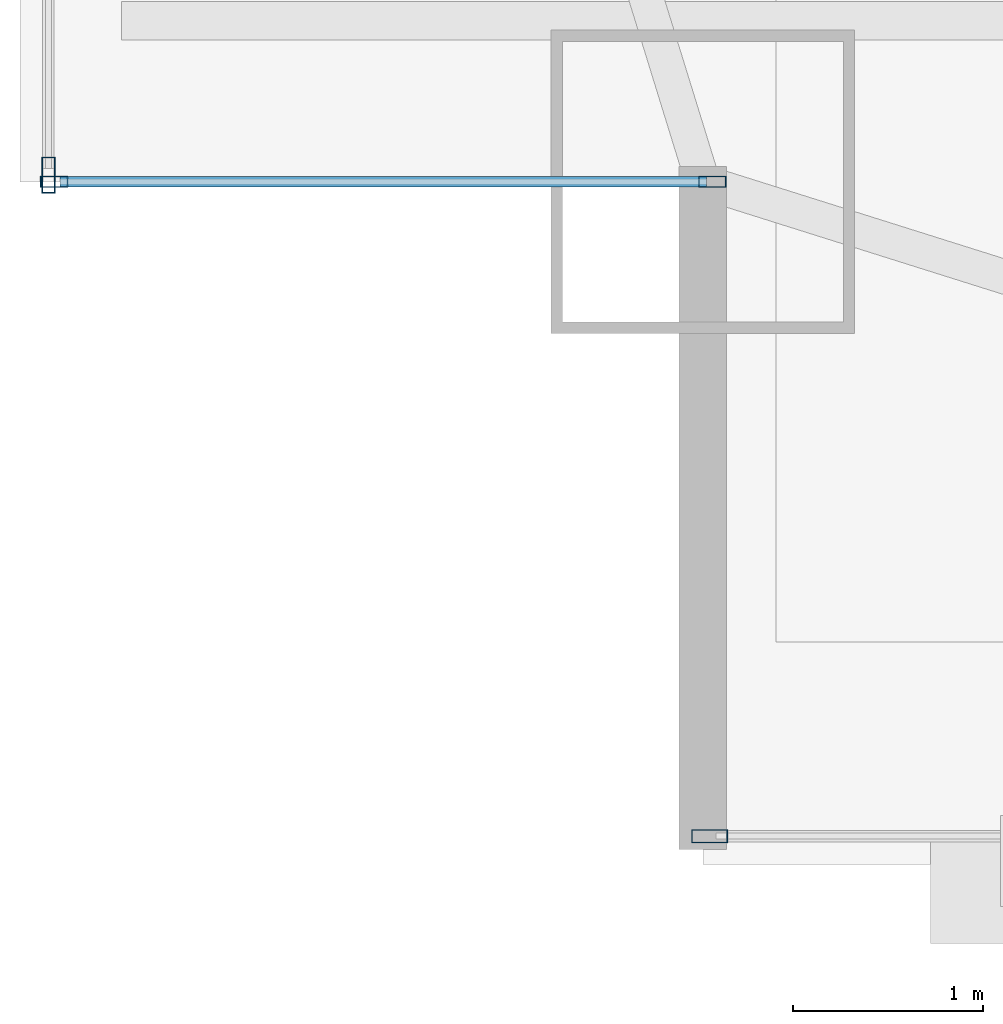
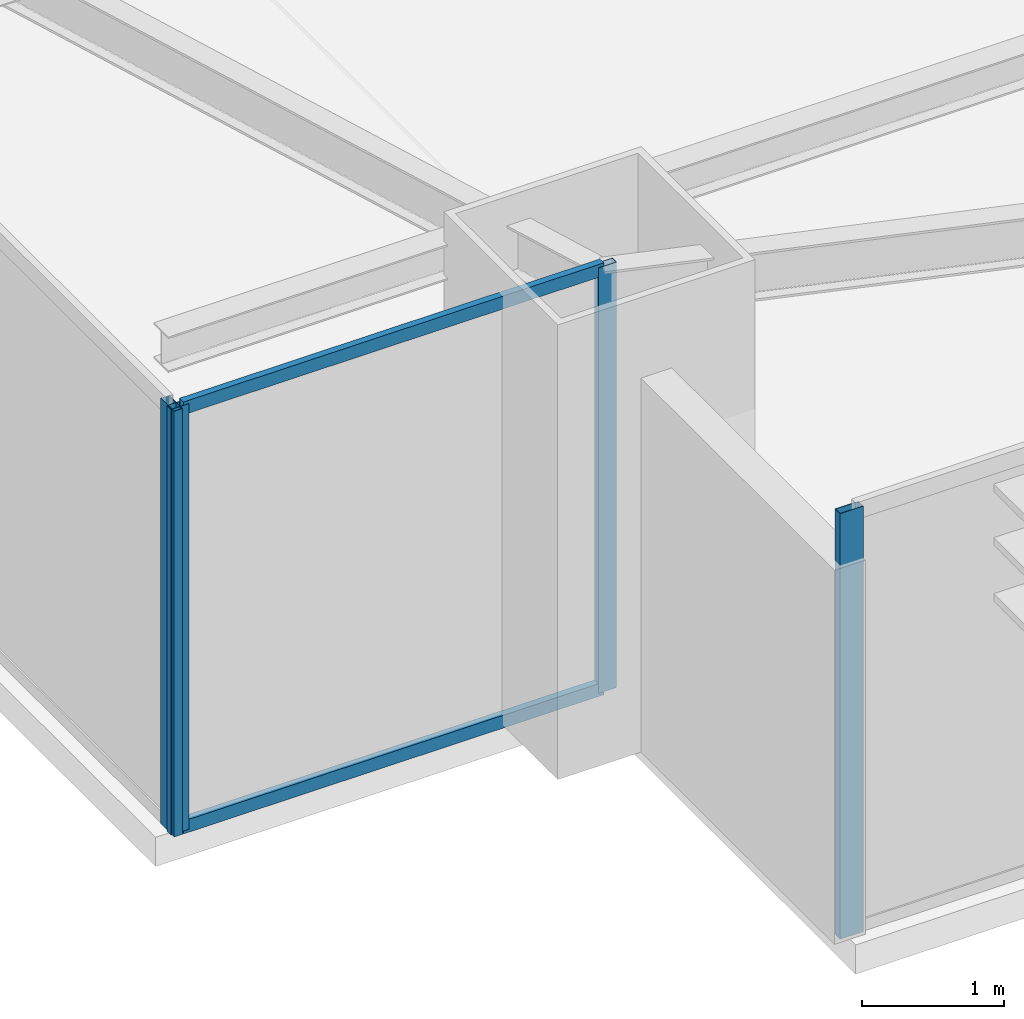
# One storey, part 3 of 31: 6 members, 3 elements without a shape of their own.
"""IFC4 building model written with IfcOpenShell, lengths in metres."""

from ifc_helpers import new_model, si_unit, direction, frame, origin, origin_2d, place, context, subcontext, project, spatial, hollow_rectangle, extrude, source, transform, mapped, material, layer, layer_set, material_profile, profile_set, type_object, type_shapes, element, aggregate, save


model = new_model("IFC4")

# Units and contexts
model_context = context("Model", 3, precision=1e-05, world=origin(), true_north=direction((0.0, 1.0)))
body_context = subcontext(model_context, "Body", "Model", "MODEL_VIEW")
ifc_project = project(units=[si_unit("LENGTHUNIT", "METRE"), si_unit("AREAUNIT", "SQUARE_METRE"), si_unit("VOLUMEUNIT", "CUBIC_METRE"), si_unit("PLANEANGLEUNIT", "RADIAN"), si_unit("MASSUNIT", "GRAM", prefix="KILO")], contexts=[model_context])

# Site, building, storey
site_placement = place(None, origin())
site = spatial("IfcSite", under=ifc_project, at=site_placement, CompositionType="ELEMENT")
building_placement = place(site_placement, origin())
building = spatial("IfcBuilding", under=site, at=building_placement, Name="Varnel Quay Broadcast Tower", CompositionType="ELEMENT")
storey_placement = place(building_placement, frame((0.0, 0.0, 35.39990234375)))
storey = spatial("IfcBuildingStorey", under=building, at=storey_placement, Name="L07", CompositionType="ELEMENT", Elevation=35.39990234375)

# Curtain wall, members
ifc_material = material(Name="Anodised Bronze Aluminium 6063-T6", Category="aluminium")
ifc_layer_1 = layer(ifc_material, 0.18994140625, Name="Anodised Bronze Aluminium 6063-T6")
ifc_layer_set_1 = layer_set([ifc_layer_1], Name="Anodised Bronze Aluminium 6063-T6")
curtain_wall_type_1 = type_object("IfcCurtainWallType", Name="CW_NotchCorner", PredefinedType="NOTDEFINED", material=ifc_layer_set_1)
curtain_wall_1_placement = place(storey_placement, origin())
curtain_wall_1 = element("IfcCurtainWall", 1, at=curtain_wall_1_placement, inside=storey, type_object=curtain_wall_type_1, Name="L07 SW Notch Curtain Wall", PredefinedType="NOTDEFINED")
ifc_material_profile_1 = material_profile(ifc_material, hollow_rectangle(XDim=0.054931640625, YDim=0.110107421875, WallThickness=0.0029296875, at=origin_2d()), Name="ALU55X110X3")
ifc_profile_set_1 = profile_set([ifc_material_profile_1], Name="Anodised Bronze Aluminium 6063-T6")
member_type_1 = type_object("IfcMemberType", Name="Tran_CWS-04", PredefinedType="USERDEFINED", material=ifc_profile_set_1)
shared_shape_1 = source(origin(), body_context, "Body", "SweptSolid", [
    extrude(hollow_rectangle(XDim=0.054931640625, YDim=0.110107421875, WallThickness=0.0029296875, at=origin_2d()), origin(), (0.0, 0.0, 1.0), 3.41015625),
])
type_shapes(member_type_1, [shared_shape_1])
member_1_placement = place(storey_placement, frame((2.2099609375, 4.800048828125, 0.027587890625), z_axis=(1.0, 0.0, 0.0), x_axis=(0.0, 1.0, 0.0)))
member_1 = element("IfcMember", 2, at=member_1_placement, type_object=member_type_1, Name="CWS-04 transom 1.1", ObjectType="TRANSOM", PredefinedType="USERDEFINED", context=body_context, shape_type="MappedRepresentation", body=[
    mapped(shared_shape_1, transform((0.0, 0.0, 0.0), x_axis=(1.0, 0.0, 0.0), y_axis=(0.0, 1.0, 0.0), z_axis=(0.0, 0.0, 1.0), scale=1.0)),
])
member_2_placement = place(storey_placement, frame((2.2099609375, 4.800048828125, 3.62255859375), z_axis=(1.0, 0.0, 0.0), x_axis=(0.0, 1.0, 0.0)))
member_2 = element("IfcMember", 3, at=member_2_placement, type_object=member_type_1, Name="CWS-04 transom 1.2", ObjectType="TRANSOM", PredefinedType="USERDEFINED", context=body_context, shape_type="MappedRepresentation", body=[
    mapped(shared_shape_1, transform((0.0, 0.0, 0.0), x_axis=(1.0, 0.0, 0.0), y_axis=(0.0, 1.0, 0.0), z_axis=(0.0, 0.0, 1.0), scale=1.0)),
])

# Curtain wall, member
ifc_layer_2 = layer(ifc_material, 0.18994140625, Name="Anodised Bronze Aluminium 6063-T6")
ifc_layer_set_2 = layer_set([ifc_layer_2], Name="Anodised Bronze Aluminium 6063-T6")
curtain_wall_type_2 = type_object("IfcCurtainWallType", Name="CW_LowerTower", PredefinedType="NOTDEFINED", material=ifc_layer_set_2)
curtain_wall_2_placement = place(storey_placement, origin())
curtain_wall_2 = element("IfcCurtainWall", 4, at=curtain_wall_2_placement, inside=storey, type_object=curtain_wall_type_2, Name="L07 South Unitised Curtain Wall 1", PredefinedType="NOTDEFINED")
ifc_material_profile_2 = material_profile(ifc_material, hollow_rectangle(XDim=0.070068359375, YDim=0.18994140625, WallThickness=0.00390625, at=origin_2d()), Name="ALU70X190X4")
ifc_profile_set_2 = profile_set([ifc_material_profile_2], Name="Anodised Bronze Aluminium 6063-T6")
member_type_2 = type_object("IfcMemberType", Name="Mull_CWS-02", PredefinedType="MULLION", material=ifc_profile_set_2)
shared_shape_2 = source(origin(), body_context, "Body", "SweptSolid", [
    extrude(hollow_rectangle(XDim=0.070068359375, YDim=0.18994140625, WallThickness=0.00390625, at=origin_2d()), origin(), (0.0, 0.0, 1.0), 3.650146484375),
])
type_shapes(member_type_2, [shared_shape_2])
member_3_placement = place(storey_placement, frame((5.635009765625, 1.35009765625, 0.0), z_axis=(0.0, 0.0, 1.0), x_axis=(0.0, 1.0, 0.0)))
member_3 = element("IfcMember", 5, at=member_3_placement, type_object=member_type_2, Name="CWS-02 mullion 1", PredefinedType="MULLION", context=body_context, shape_type="MappedRepresentation", body=[
    mapped(shared_shape_2, transform((0.0, 0.0, 0.0), x_axis=(1.0, 0.0, 0.0), y_axis=(0.0, 1.0, 0.0), z_axis=(0.0, 0.0, 1.0), scale=1.0)),
])
aggregate(curtain_wall_2, [member_3])

curtain_wall_3_placement = place(storey_placement, origin())
curtain_wall_3 = element("IfcCurtainWall", 6, at=curtain_wall_3_placement, inside=storey, type_object=curtain_wall_type_2, Name="L07 West Unitised Curtain Wall", PredefinedType="NOTDEFINED")
member_4_placement = place(storey_placement, frame((2.14990234375, 4.8349609375, 0.0), z_axis=(0.0, 0.0, 1.0), x_axis=(-1.0, 0.0, 0.0)))
member_4 = element("IfcMember", 7, at=member_4_placement, type_object=member_type_2, Name="CWS-02 mullion 1", PredefinedType="MULLION", context=body_context, shape_type="MappedRepresentation", body=[
    mapped(shared_shape_2, transform((0.0, 0.0, 0.0), x_axis=(1.0, 0.0, 0.0), y_axis=(0.0, 1.0, 0.0), z_axis=(0.0, 0.0, 1.0), scale=1.0)),
])
aggregate(curtain_wall_3, [member_4])

# Member
ifc_material_profile_3 = material_profile(ifc_material, hollow_rectangle(XDim=0.06005859375, YDim=0.14501953125, WallThickness=0.00341796875, at=origin_2d()), Name="ALU60X145X3.5")
ifc_profile_set_3 = profile_set([ifc_material_profile_3], Name="Anodised Bronze Aluminium 6063-T6")
member_type_3 = type_object("IfcMemberType", Name="Mull_CWS-04", PredefinedType="MULLION", material=ifc_profile_set_3)
shared_shape_3 = source(origin(), body_context, "Body", "SweptSolid", [
    extrude(hollow_rectangle(XDim=0.06005859375, YDim=0.14501953125, WallThickness=0.00341796875, at=origin_2d()), origin(), (0.0, 0.0, 1.0), 3.650146484375),
])
type_shapes(member_type_3, [shared_shape_3])
member_5_placement = place(storey_placement, frame((2.179931640625, 4.800048828125, 0.0), z_axis=(0.0, 0.0, 1.0), x_axis=(0.0, 1.0, 0.0)))
member_5 = element("IfcMember", 8, at=member_5_placement, type_object=member_type_3, Name="CWS-04 mullion 1", PredefinedType="MULLION", context=body_context, shape_type="MappedRepresentation", body=[
    mapped(shared_shape_3, transform((0.0, 0.0, 0.0), x_axis=(1.0, 0.0, 0.0), y_axis=(0.0, 1.0, 0.0), z_axis=(0.0, 0.0, 1.0), scale=1.0)),
])

member_6_placement = place(storey_placement, frame((5.64990234375, 4.800048828125, 0.0), z_axis=(0.0, 0.0, 1.0), x_axis=(0.0, 1.0, 0.0)))
member_6 = element("IfcMember", 9, at=member_6_placement, type_object=member_type_3, Name="CWS-04 mullion 2", PredefinedType="MULLION", context=body_context, shape_type="MappedRepresentation", body=[
    mapped(shared_shape_3, transform((0.0, 0.0, 0.0), x_axis=(1.0, 0.0, 0.0), y_axis=(0.0, 1.0, 0.0), z_axis=(0.0, 0.0, 1.0), scale=1.0)),
])

aggregate(curtain_wall_1, [member_5, member_6, member_1, member_2])

save(model, "model.ifc")
